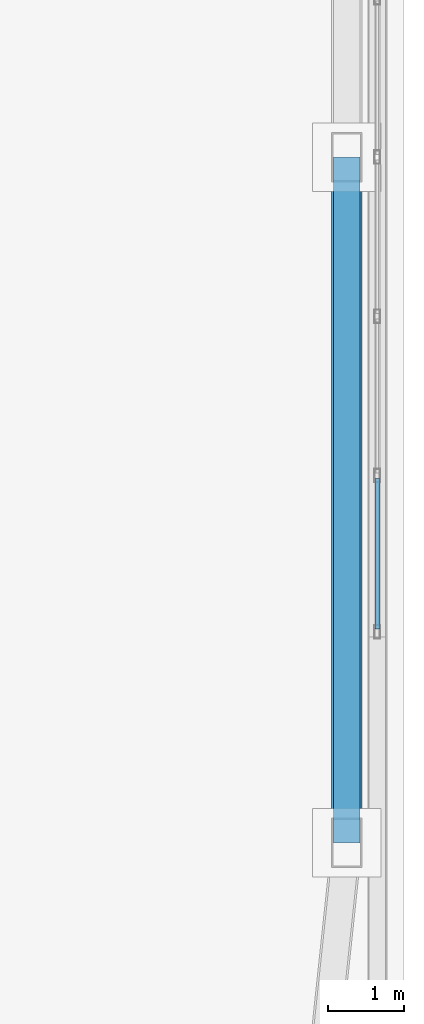
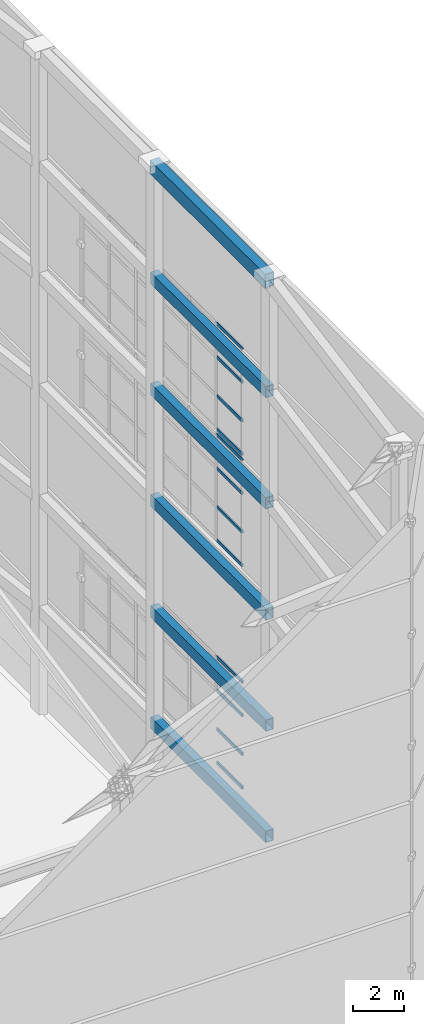
# One storey, part 25 of 47: 12 members, 6 beams, 3 elements without a shape of their own.
"""IFC4 building model written with IfcOpenShell, lengths in metres."""

from ifc_helpers import new_model, si_unit, direction, frame, origin, origin_2d, place, context, subcontext, project, spatial, hollow_rectangle, extrude, material, layer, layer_set, material_profile, profile_set, type_object, element, aggregate, save


model = new_model("IFC4")

# Units and contexts
model_context = context("Model", 3, precision=1e-05, world=origin(), true_north=direction((0.0, 1.0)))
body_context = subcontext(model_context, "Body", "Model", "MODEL_VIEW")
ifc_project = project(units=[si_unit("LENGTHUNIT", "METRE"), si_unit("AREAUNIT", "SQUARE_METRE"), si_unit("VOLUMEUNIT", "CUBIC_METRE"), si_unit("PLANEANGLEUNIT", "RADIAN"), si_unit("MASSUNIT", "GRAM", prefix="KILO")], contexts=[model_context])

# Site, building, storey
site_placement = place(None, origin())
site = spatial("IfcSite", under=ifc_project, at=site_placement, CompositionType="ELEMENT")
building_placement = place(site_placement, origin())
building = spatial("IfcBuilding", under=site, at=building_placement, Name="Qiaolan Cultural Towers", CompositionType="ELEMENT")
storey_placement = place(building_placement, frame((0.0, 0.0, 280.199951171875)))
storey = spatial("IfcBuildingStorey", under=building, at=storey_placement, Name="RF", CompositionType="ELEMENT", Elevation=280.199951171875)

# Beams
ifc_material_1 = material(Name="Steel Q355B", Category="steel")
ifc_material_profile_1 = material_profile(ifc_material_1, hollow_rectangle(XDim=0.39990234375, YDim=0.64990234375, WallThickness=0.02001953125, at=origin_2d()), Name="BOX650x400x20")
ifc_profile_set_1 = profile_set([ifc_material_profile_1], Name="Steel Q355B")
beam_type_1 = type_object("IfcBeamType", Name="BM-CROWN-FRAME-1", PredefinedType="BEAM", material=ifc_profile_set_1)
beam_placement = place(storey_placement, frame((44.64990234375, 25.0, 31.47509765625), z_axis=(0.0, 1.0, 0.0), x_axis=(-1.0, 0.0, 0.0)))
element("IfcBeam", 1, at=beam_placement, inside=storey, type_object=beam_type_1, Name="T1 Crown Frame Top Cap Ring Beam T6-5", PredefinedType="BEAM", context=body_context, shape_type="SweptSolid", body=[
    extrude(hollow_rectangle(XDim=0.39990234375, YDim=0.64990234375, WallThickness=0.02001953125, at=origin_2d()), origin(), (0.0, 0.0, 1.0), 9.0),
])
ifc_material_2 = material(Name="Steel Q355B", Category="steel")
ifc_material_profile_2 = material_profile(ifc_material_2, hollow_rectangle(XDim=0.35009765625, YDim=0.550048828125, WallThickness=0.01806640625, at=origin_2d()), Name="BOX550x350x18")
ifc_profile_set_2 = profile_set([ifc_material_profile_2], Name="Steel Q355B")
beam_type_2 = type_object("IfcBeamType", Name="BM-CROWN-FRAME-2", PredefinedType="BEAM", material=ifc_profile_set_2)
for number, where, z_axis, x_axis, name in (
    (2, (44.64990234375, 25.0, 4.97509765625), (0.0, 1.0, 0.0), (-1.0, 0.0, 0.0), "T1 Crown Frame Ring Beam T1-5"),
    (3, (44.64990234375, 25.0, 10.275146484375), (0.0, 1.0, 0.0), (-1.0, 0.0, 0.0), "T1 Crown Frame Ring Beam T2-5"),
    (4, (44.64990234375, 25.0, 15.574951171875), (0.0, 1.0, 0.0), (-1.0, 0.0, 0.0), "T1 Crown Frame Ring Beam T3-5"),
    (5, (44.64990234375, 25.0, 20.875), (0.0, 1.0, 0.0), (-1.0, 0.0, 0.0), "T1 Crown Frame Ring Beam T4-5"),
    (6, (44.64990234375, 25.0, 26.175048828125), (0.0, 1.0, 0.0), (-1.0, 0.0, 0.0), "T1 Crown Frame Ring Beam T5-5"),
):
    element("IfcBeam", number, at=place(storey_placement, frame(where, z_axis=z_axis, x_axis=x_axis)), inside=storey, type_object=beam_type_2, Name=name, PredefinedType="BEAM", context=body_context, shape_type="SweptSolid", body=[
        extrude(hollow_rectangle(XDim=0.35009765625, YDim=0.550048828125, WallThickness=0.01806640625, at=origin_2d()), origin(), (0.0, 0.0, 1.0), 9.0),
    ])

# Curtain wall, members
ifc_material_3 = material(Name="Unitized Anodized Aluminium Curtain Wall System", Category="aluminium")
ifc_layer = layer(ifc_material_3, 0.199951171875)
ifc_layer_set = layer_set([ifc_layer], Name="Unitized Anodized Aluminium Curtain Wall System")
curtain_wall_type = type_object("IfcCurtainWallType", Name="CWS-06", PredefinedType="NOTDEFINED", material=ifc_layer_set)
curtain_wall_1_placement = place(storey_placement, origin())
curtain_wall_1 = element("IfcCurtainWall", 7, at=curtain_wall_1_placement, inside=storey, type_object=curtain_wall_type, Name="T1 Crown Tier 2 Fritted Screen Curtain Wall 3", PredefinedType="NOTDEFINED")
ifc_material_4 = material(Name="Extruded Aluminium 6063-T6", Category="aluminium")
ifc_material_profile_3 = material_profile(ifc_material_4, hollow_rectangle(XDim=0.06494140625, YDim=0.14990234375, WallThickness=0.00390625, at=origin_2d()), Name="CWT-150x65x4")
ifc_profile_set_3 = profile_set([ifc_material_profile_3], Name="Extruded Aluminium 6063-T6")
member_type = type_object("IfcMemberType", Name="CWS-06-TRN", PredefinedType="USERDEFINED", material=ifc_profile_set_3)
member_1_placement = place(storey_placement, frame((45.050048828125, 27.804931640625, 5.4326171875), z_axis=(0.0, 1.0, 0.0), x_axis=(-1.0, 0.0, 0.0)))
member_1 = element("IfcMember", 8, at=member_1_placement, type_object=member_type, Name="CW-6 transom 1.1", ObjectType="TRANSOM", PredefinedType="USERDEFINED", context=body_context, shape_type="SweptSolid", body=[
    extrude(hollow_rectangle(XDim=0.06494140625, YDim=0.14990234375, WallThickness=0.00390625, at=origin_2d()), origin(), (0.0, 0.0, 1.0), 1.9775390625),
])
member_2_placement = place(storey_placement, frame((45.050048828125, 27.804931640625, 7.030029296875), z_axis=(0.0, 1.0, 0.0), x_axis=(-1.0, 0.0, 0.0)))
member_2 = element("IfcMember", 9, at=member_2_placement, type_object=member_type, Name="CW-6 transom 1.2", ObjectType="TRANSOM", PredefinedType="USERDEFINED", context=body_context, shape_type="SweptSolid", body=[
    extrude(hollow_rectangle(XDim=0.06494140625, YDim=0.14990234375, WallThickness=0.00390625, at=origin_2d()), origin(), (0.0, 0.0, 1.0), 1.9775390625),
])
member_3_placement = place(storey_placement, frame((45.050048828125, 27.804931640625, 8.8701171875), z_axis=(0.0, 1.0, 0.0), x_axis=(-1.0, 0.0, 0.0)))
member_3 = element("IfcMember", 10, at=member_3_placement, type_object=member_type, Name="CW-6 transom 1.3", ObjectType="TRANSOM", PredefinedType="USERDEFINED", context=body_context, shape_type="SweptSolid", body=[
    extrude(hollow_rectangle(XDim=0.06494140625, YDim=0.14990234375, WallThickness=0.00390625, at=origin_2d()), origin(), (0.0, 0.0, 1.0), 1.9775390625),
])
member_4_placement = place(storey_placement, frame((45.050048828125, 27.804931640625, 10.467529296875), z_axis=(0.0, 1.0, 0.0), x_axis=(-1.0, 0.0, 0.0)))
member_4 = element("IfcMember", 11, at=member_4_placement, type_object=member_type, Name="CW-6 transom 1.4", ObjectType="TRANSOM", PredefinedType="USERDEFINED", context=body_context, shape_type="SweptSolid", body=[
    extrude(hollow_rectangle(XDim=0.06494140625, YDim=0.14990234375, WallThickness=0.00390625, at=origin_2d()), origin(), (0.0, 0.0, 1.0), 1.9775390625),
])
aggregate(curtain_wall_1, [member_1, member_2, member_3, member_4])

curtain_wall_2_placement = place(storey_placement, origin())
curtain_wall_2 = element("IfcCurtainWall", 12, at=curtain_wall_2_placement, inside=storey, type_object=curtain_wall_type, Name="T1 Crown Tier 4 Fritted Screen Curtain Wall 3", PredefinedType="NOTDEFINED")
member_5_placement = place(storey_placement, frame((45.050048828125, 27.804931640625, 16.032470703125), z_axis=(0.0, 1.0, 0.0), x_axis=(-1.0, 0.0, 0.0)))
member_5 = element("IfcMember", 13, at=member_5_placement, type_object=member_type, Name="CW-6 transom 1.1", ObjectType="TRANSOM", PredefinedType="USERDEFINED", context=body_context, shape_type="SweptSolid", body=[
    extrude(hollow_rectangle(XDim=0.06494140625, YDim=0.14990234375, WallThickness=0.00390625, at=origin_2d()), origin(), (0.0, 0.0, 1.0), 1.9775390625),
])
member_6_placement = place(storey_placement, frame((45.050048828125, 27.804931640625, 17.630126953125), z_axis=(0.0, 1.0, 0.0), x_axis=(-1.0, 0.0, 0.0)))
member_6 = element("IfcMember", 14, at=member_6_placement, type_object=member_type, Name="CW-6 transom 1.2", ObjectType="TRANSOM", PredefinedType="USERDEFINED", context=body_context, shape_type="SweptSolid", body=[
    extrude(hollow_rectangle(XDim=0.06494140625, YDim=0.14990234375, WallThickness=0.00390625, at=origin_2d()), origin(), (0.0, 0.0, 1.0), 1.9775390625),
])
member_7_placement = place(storey_placement, frame((45.050048828125, 27.804931640625, 19.469970703125), z_axis=(0.0, 1.0, 0.0), x_axis=(-1.0, 0.0, 0.0)))
member_7 = element("IfcMember", 15, at=member_7_placement, type_object=member_type, Name="CW-6 transom 1.3", ObjectType="TRANSOM", PredefinedType="USERDEFINED", context=body_context, shape_type="SweptSolid", body=[
    extrude(hollow_rectangle(XDim=0.06494140625, YDim=0.14990234375, WallThickness=0.00390625, at=origin_2d()), origin(), (0.0, 0.0, 1.0), 1.9775390625),
])
member_8_placement = place(storey_placement, frame((45.050048828125, 27.804931640625, 21.067626953125), z_axis=(0.0, 1.0, 0.0), x_axis=(-1.0, 0.0, 0.0)))
member_8 = element("IfcMember", 16, at=member_8_placement, type_object=member_type, Name="CW-6 transom 1.4", ObjectType="TRANSOM", PredefinedType="USERDEFINED", context=body_context, shape_type="SweptSolid", body=[
    extrude(hollow_rectangle(XDim=0.06494140625, YDim=0.14990234375, WallThickness=0.00390625, at=origin_2d()), origin(), (0.0, 0.0, 1.0), 1.9775390625),
])
aggregate(curtain_wall_2, [member_5, member_6, member_7, member_8])

curtain_wall_3_placement = place(storey_placement, origin())
curtain_wall_3 = element("IfcCurtainWall", 17, at=curtain_wall_3_placement, inside=storey, type_object=curtain_wall_type, Name="T1 Crown Tier 5 Fritted Screen Curtain Wall 3", PredefinedType="NOTDEFINED")
member_9_placement = place(storey_placement, frame((45.050048828125, 27.804931640625, 21.33251953125), z_axis=(0.0, 1.0, 0.0), x_axis=(-1.0, 0.0, 0.0)))
member_9 = element("IfcMember", 18, at=member_9_placement, type_object=member_type, Name="CW-6 transom 1.1", ObjectType="TRANSOM", PredefinedType="USERDEFINED", context=body_context, shape_type="SweptSolid", body=[
    extrude(hollow_rectangle(XDim=0.06494140625, YDim=0.14990234375, WallThickness=0.00390625, at=origin_2d()), origin(), (0.0, 0.0, 1.0), 1.9775390625),
])
member_10_placement = place(storey_placement, frame((45.050048828125, 27.804931640625, 22.929931640625), z_axis=(0.0, 1.0, 0.0), x_axis=(-1.0, 0.0, 0.0)))
member_10 = element("IfcMember", 19, at=member_10_placement, type_object=member_type, Name="CW-6 transom 1.2", ObjectType="TRANSOM", PredefinedType="USERDEFINED", context=body_context, shape_type="SweptSolid", body=[
    extrude(hollow_rectangle(XDim=0.06494140625, YDim=0.14990234375, WallThickness=0.00390625, at=origin_2d()), origin(), (0.0, 0.0, 1.0), 1.9775390625),
])
member_11_placement = place(storey_placement, frame((45.050048828125, 27.804931640625, 24.77001953125), z_axis=(0.0, 1.0, 0.0), x_axis=(-1.0, 0.0, 0.0)))
member_11 = element("IfcMember", 20, at=member_11_placement, type_object=member_type, Name="CW-6 transom 1.3", ObjectType="TRANSOM", PredefinedType="USERDEFINED", context=body_context, shape_type="SweptSolid", body=[
    extrude(hollow_rectangle(XDim=0.06494140625, YDim=0.14990234375, WallThickness=0.00390625, at=origin_2d()), origin(), (0.0, 0.0, 1.0), 1.9775390625),
])
member_12_placement = place(storey_placement, frame((45.050048828125, 27.804931640625, 26.367431640625), z_axis=(0.0, 1.0, 0.0), x_axis=(-1.0, 0.0, 0.0)))
member_12 = element("IfcMember", 21, at=member_12_placement, type_object=member_type, Name="CW-6 transom 1.4", ObjectType="TRANSOM", PredefinedType="USERDEFINED", context=body_context, shape_type="SweptSolid", body=[
    extrude(hollow_rectangle(XDim=0.06494140625, YDim=0.14990234375, WallThickness=0.00390625, at=origin_2d()), origin(), (0.0, 0.0, 1.0), 1.9775390625),
])
aggregate(curtain_wall_3, [member_9, member_10, member_11, member_12])

save(model, "model.ifc")
